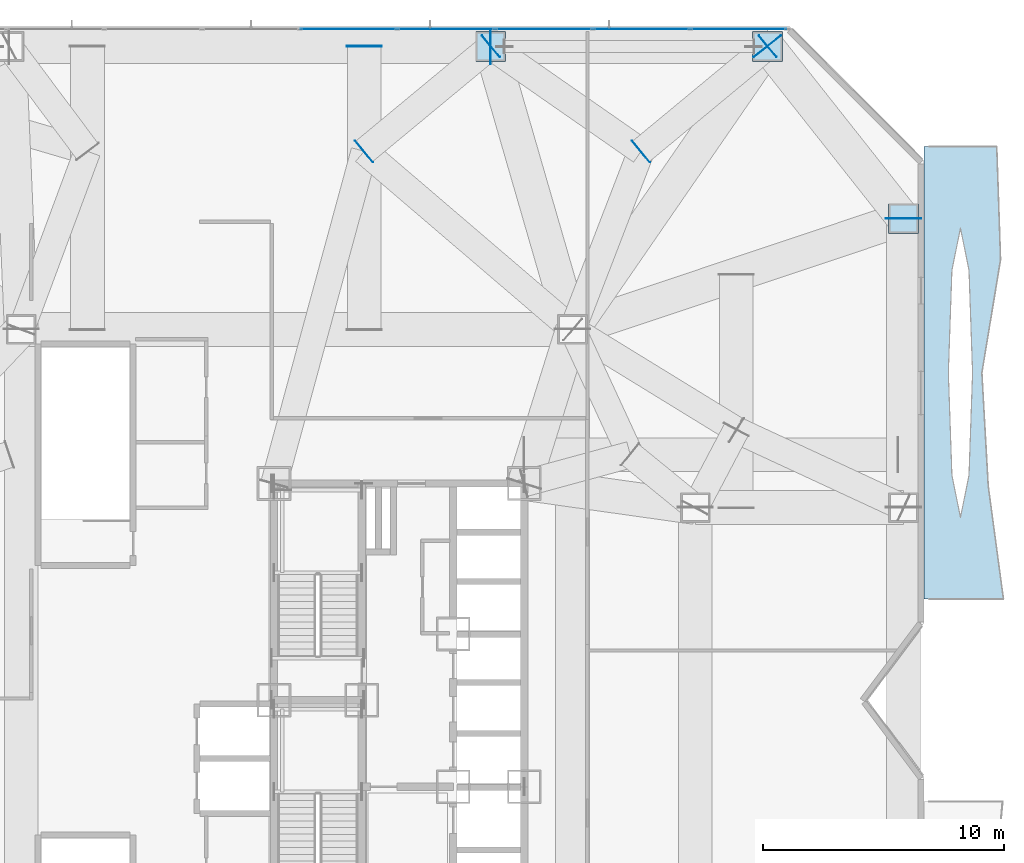
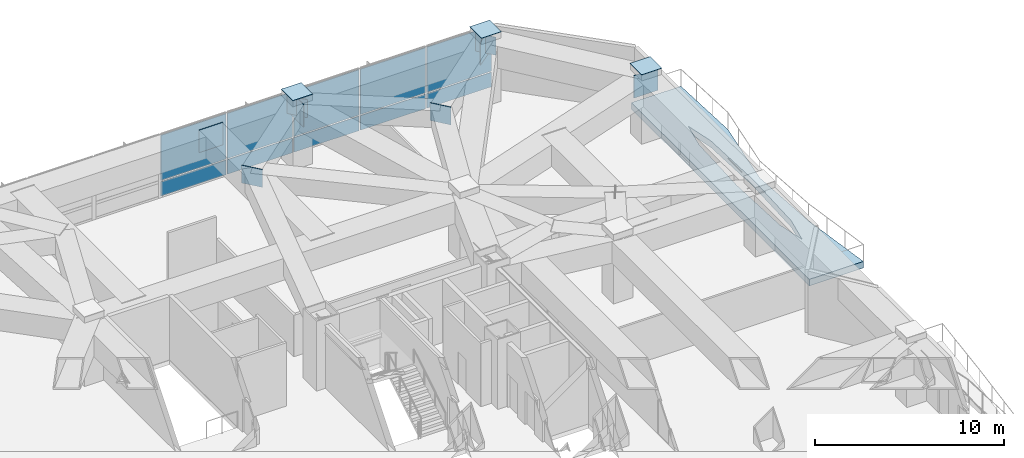
# One storey, part 17 of 27: 21 plates, 1 slab, 1 element without a shape of its own.
"""IFC4 building model written with IfcOpenShell, lengths in metres."""

from ifc_helpers import new_model, si_unit, direction, frame, origin, origin_2d, place, context, subcontext, project, spatial, polyline, rectangle, outline, extrude, material, layer, layer_set, type_object, element, aggregate, save


model = new_model("IFC4")

# Units and contexts
model_context = context("Model", 3, precision=1e-05, world=origin(), true_north=direction((0.0, 1.0)))
body_context = subcontext(model_context, "Body", "Model", "MODEL_VIEW")
ifc_project = project(units=[si_unit("LENGTHUNIT", "METRE"), si_unit("AREAUNIT", "SQUARE_METRE"), si_unit("VOLUMEUNIT", "CUBIC_METRE"), si_unit("PLANEANGLEUNIT", "RADIAN"), si_unit("MASSUNIT", "GRAM", prefix="KILO")], contexts=[model_context])

# Site, building, storey
site_placement = place(None, origin())
site = spatial("IfcSite", under=ifc_project, at=site_placement, CompositionType="ELEMENT")
building_placement = place(site_placement, origin())
building = spatial("IfcBuilding", under=site, at=building_placement, Name="Khamvora Tower", CompositionType="ELEMENT")
storey_placement = place(building_placement, frame((0.0, 0.0, 28.800048828125)))
storey = spatial("IfcBuildingStorey", under=building, at=storey_placement, Name="L06", CompositionType="ELEMENT", Elevation=28.800048828125)

# Curtain wall, plates
ifc_material_1 = material(Name="Anodised Aluminium 6063-T6", Category="aluminium")
curtain_wall_type = type_object("IfcCurtainWallType", Name="CW-SYS-01", PredefinedType="NOTDEFINED", material=ifc_material_1)
curtain_wall_placement = place(storey_placement, origin())
curtain_wall = element("IfcCurtainWall", 1, at=curtain_wall_placement, inside=storey, type_object=curtain_wall_type, Name="L06 stick curtain wall 07.1", PredefinedType="NOTDEFINED")
ifc_material_2 = material(Name="Low-E Laminated Double Glazing", Category="glass")
ifc_layer_1 = layer(ifc_material_2, 0.035888671875)
ifc_layer_set_1 = layer_set([ifc_layer_1], Name="Low-E Laminated Double Glazing")
plate_type_1 = type_object("IfcPlateType", Name="CW-SYS-01-PNL", PredefinedType="CURTAIN_PANEL", material=ifc_layer_set_1)
plate_1_placement = place(storey_placement, frame((32.09521484375, 55.8798828125, 0.074951171875), z_axis=(0.0, 0.0, 1.0), x_axis=(1.0, 0.0, 0.0)))
plate_1 = element("IfcPlate", 2, at=plate_1_placement, type_object=plate_type_1, Name="CW-01 panel 7.1", PredefinedType="CURTAIN_PANEL", context=body_context, shape_type="SweptSolid", body=[
    extrude(rectangle(XDim=3.981689453125, YDim=0.035888671875, at=origin_2d()), origin(), (0.0, 0.0, 1.0), 0.9375),
])
plate_2_placement = place(storey_placement, frame((32.09521484375, 55.8798828125, 1.08740234375), z_axis=(0.0, 0.0, 1.0), x_axis=(1.0, 0.0, 0.0)))
plate_2 = element("IfcPlate", 3, at=plate_2_placement, type_object=plate_type_1, Name="CW-01 panel 7.2", PredefinedType="CURTAIN_PANEL", context=body_context, shape_type="SweptSolid", body=[
    extrude(rectangle(XDim=3.981689453125, YDim=0.035888671875, at=origin_2d()), origin(), (0.0, 0.0, 1.0), 2.91748046875),
])
plate_3_placement = place(storey_placement, frame((36.15185546875, 55.8798828125, 0.074951171875), z_axis=(0.0, 0.0, 1.0), x_axis=(1.0, 0.0, 0.0)))
plate_3 = element("IfcPlate", 4, at=plate_3_placement, type_object=plate_type_1, Name="CW-01 panel 8.1", PredefinedType="CURTAIN_PANEL", context=body_context, shape_type="SweptSolid", body=[
    extrude(rectangle(XDim=3.981689453125, YDim=0.035888671875, at=origin_2d()), origin(), (0.0, 0.0, 1.0), 0.9375),
])
plate_4_placement = place(storey_placement, frame((36.15185546875, 55.8798828125, 1.08740234375), z_axis=(0.0, 0.0, 1.0), x_axis=(1.0, 0.0, 0.0)))
plate_4 = element("IfcPlate", 5, at=plate_4_placement, type_object=plate_type_1, Name="CW-01 panel 8.2", PredefinedType="CURTAIN_PANEL", context=body_context, shape_type="SweptSolid", body=[
    extrude(rectangle(XDim=3.981689453125, YDim=0.035888671875, at=origin_2d()), origin(), (0.0, 0.0, 1.0), 2.91748046875),
])
plate_5_placement = place(storey_placement, frame((40.20849609375, 55.8798828125, 0.074951171875), z_axis=(0.0, 0.0, 1.0), x_axis=(1.0, 0.0, 0.0)))
plate_5 = element("IfcPlate", 6, at=plate_5_placement, type_object=plate_type_1, Name="CW-01 panel 9.1", PredefinedType="CURTAIN_PANEL", context=body_context, shape_type="SweptSolid", body=[
    extrude(rectangle(XDim=3.981689453125, YDim=0.035888671875, at=origin_2d()), origin(), (0.0, 0.0, 1.0), 0.9375),
])
plate_6_placement = place(storey_placement, frame((40.20849609375, 55.8798828125, 1.08740234375), z_axis=(0.0, 0.0, 1.0), x_axis=(1.0, 0.0, 0.0)))
plate_6 = element("IfcPlate", 7, at=plate_6_placement, type_object=plate_type_1, Name="CW-01 panel 9.2", PredefinedType="CURTAIN_PANEL", context=body_context, shape_type="SweptSolid", body=[
    extrude(rectangle(XDim=3.981689453125, YDim=0.035888671875, at=origin_2d()), origin(), (0.0, 0.0, 1.0), 2.91748046875),
])
plate_7_placement = place(storey_placement, frame((44.26513671875, 55.8798828125, 0.074951171875), z_axis=(0.0, 0.0, 1.0), x_axis=(1.0, 0.0, 0.0)))
plate_7 = element("IfcPlate", 8, at=plate_7_placement, type_object=plate_type_1, Name="CW-01 panel 10.1", PredefinedType="CURTAIN_PANEL", context=body_context, shape_type="SweptSolid", body=[
    extrude(rectangle(XDim=3.981689453125, YDim=0.035888671875, at=origin_2d()), origin(), (0.0, 0.0, 1.0), 0.9375),
])
plate_8_placement = place(storey_placement, frame((44.26513671875, 55.8798828125, 1.08740234375), z_axis=(0.0, 0.0, 1.0), x_axis=(1.0, 0.0, 0.0)))
plate_8 = element("IfcPlate", 9, at=plate_8_placement, type_object=plate_type_1, Name="CW-01 panel 10.2", PredefinedType="CURTAIN_PANEL", context=body_context, shape_type="SweptSolid", body=[
    extrude(rectangle(XDim=3.981689453125, YDim=0.035888671875, at=origin_2d()), origin(), (0.0, 0.0, 1.0), 2.91748046875),
])
plate_9_placement = place(storey_placement, frame((48.302978515625, 55.8798828125, 0.074951171875), z_axis=(0.0, 0.0, 1.0), x_axis=(1.0, 0.0, 0.0)))
plate_9 = element("IfcPlate", 10, at=plate_9_placement, type_object=plate_type_1, Name="CW-01 panel 11.1", PredefinedType="CURTAIN_PANEL", context=body_context, shape_type="SweptSolid", body=[
    extrude(rectangle(XDim=3.944091796875, YDim=0.035888671875, at=origin_2d()), origin(), (0.0, 0.0, 1.0), 0.9375),
])
plate_10_placement = place(storey_placement, frame((48.302978515625, 55.8798828125, 1.08740234375), z_axis=(0.0, 0.0, 1.0), x_axis=(1.0, 0.0, 0.0)))
plate_10 = element("IfcPlate", 11, at=plate_10_placement, type_object=plate_type_1, Name="CW-01 panel 11.2", PredefinedType="CURTAIN_PANEL", context=body_context, shape_type="SweptSolid", body=[
    extrude(rectangle(XDim=3.944091796875, YDim=0.035888671875, at=origin_2d()), origin(), (0.0, 0.0, 1.0), 2.91748046875),
])
aggregate(curtain_wall, [plate_1, plate_2, plate_3, plate_4, plate_5, plate_6, plate_7, plate_8, plate_9, plate_10])

# Plates
ifc_material_3 = material(Name="Steel S355", Category="steel")
ifc_layer_2 = layer(ifc_material_3, 0.02490234375)
ifc_layer_set_2 = layer_set([ifc_layer_2], Name="Steel S355")
plate_type_2 = type_object("IfcPlateType", Name="PL-CAP-25", PredefinedType="SHEET", material=ifc_layer_set_2)
for number, where, z_axis, x_axis, name in (
    (12, (38.0, 55.14990234375, 4.474609375), (0.0, 0.0, 1.0), (1.0, 0.0, 0.0), "L06 hollow section steel end cap plate 0061"),
    (13, (49.5, 55.14990234375, 4.474609375), (0.0, 0.0, 1.0), (1.0, 0.0, 0.0), "L06 hollow section steel end cap plate 0062"),
    (14, (55.14990234375, 48.0, 4.474609375), (0.0, 0.0, 1.0), (1.0, 0.0, 0.0), "L06 hollow section steel end cap plate 0070"),
):
    element("IfcPlate", number, at=place(storey_placement, frame(where, z_axis=z_axis, x_axis=x_axis)), inside=storey, type_object=plate_type_2, Name=name, PredefinedType="SHEET", context=body_context, shape_type="SweptSolid", body=[
        extrude(rectangle(XDim=1.22998046875, YDim=1.22998046875, at=origin_2d()), origin(), (0.0, 0.0, 1.0), 0.02490234375),
    ])
for number, where, z_axis, x_axis, name in (
    (15, (55.14990234375, 48.012939453125, 2.64990234375), (0.0, 0.0, 1.0), (0.0, 1.0, 0.0), "L06 hollow section steel end cap plate 0469"),
    (16, (49.491943359375, 55.159912109375, 2.64990234375), (0.0, 0.0, 1.0), (-0.619998158531, 0.78460326498, 0.0), "L06 hollow section steel end cap plate 0470"),
    (17, (37.987060546875, 55.14990234375, 2.64990234375), (0.0, 0.0, 1.0), (-1.0, 0.0, 0.0), "L06 hollow section steel end cap plate 0471"),
    (18, (32.75, 55.1630859375, 2.64990234375), (0.0, 0.0, 1.0), (0.0, 1.0, 0.0), "L06 hollow section steel end cap plate 0497"),
):
    element("IfcPlate", number, at=place(storey_placement, frame(where, z_axis=z_axis, x_axis=x_axis)), inside=storey, type_object=plate_type_2, Name=name, PredefinedType="SHEET", context=body_context, shape_type="SweptSolid", body=[
        extrude(rectangle(XDim=0.02490234375, YDim=1.4599609375, at=origin_2d()), origin(), (0.0, 0.0, 1.0), 1.4599609375),
    ])
for number, where, z_axis, x_axis, name in (
    (19, (38.010009765625, 55.157958984375, 2.9501953125), (0.0, 0.0, 1.0), (-0.770023509139, -0.638015513426, 0.0), "L06 hollow section steel end cap plate 0528"),
    (20, (32.739990234375, 50.7919921875, 2.9501953125), (0.0, 0.0, 1.0), (-0.770023509139, -0.638015513426, 0.0), "L06 hollow section steel end cap plate 0529"),
    (21, (49.510009765625, 55.157958984375, 2.9501953125), (0.0, 0.0, 1.0), (-0.770023509139, -0.638015513426, 0.0), "L06 hollow section steel end cap plate 0532"),
    (22, (44.239990234375, 50.7919921875, 2.9501953125), (0.0, 0.0, 1.0), (-0.770023509139, -0.638015513426, 0.0), "L06 hollow section steel end cap plate 0533"),
):
    element("IfcPlate", number, at=place(storey_placement, frame(where, z_axis=z_axis, x_axis=x_axis)), inside=storey, type_object=plate_type_2, Name=name, PredefinedType="SHEET", context=body_context, shape_type="SweptSolid", body=[
        extrude(rectangle(XDim=0.02490234375, YDim=1.159912109375, at=origin_2d()), origin(), (0.0, 0.0, 1.0), 1.159912109375),
    ])

# Slab
ifc_material_4 = material(Name="Concrete C40/50", Category="concrete")
ifc_layer_3 = layer(ifc_material_4, 0.419921875)
ifc_layer_set_3 = layer_set([ifc_layer_3], Name="Concrete C40/50")
slab_type = type_object("IfcSlabType", Name="SLB-GRD-420", PredefinedType="FLOOR", material=ifc_layer_set_3)
slab_placement = place(storey_placement, frame((0.0, 0.0, -0.420166015625)))
element("IfcSlab", 23, at=slab_placement, inside=storey, type_object=slab_type, Name="L06 external lens gallery slab EL2", PredefinedType="FLOOR", context=body_context, shape_type="SweptSolid", body=[
    extrude(outline(polyline([(59.300048828125, 32.199951171875), (58.6669921875, 36.89990234375), (58.404052734375, 41.60009765625), (59.179931640625, 46.300048828125), (59.02099609375, 51.0), (56.0, 51.0), (56.0, 32.199951171875), (59.300048828125, 32.199951171875)]), holes=[polyline([(58.01904296875, 41.60009765625), (57.87109375, 45.85400390625), (57.514892578125, 47.615966796875), (57.158935546875, 45.85400390625), (57.010986328125, 41.60009765625), (57.158935546875, 37.345947265625), (57.514892578125, 35.583984375), (57.87109375, 37.345947265625), (58.01904296875, 41.60009765625)])]), origin(), (0.0, 0.0, 1.0), 0.420166015625),
])

save(model, "model.ifc")
